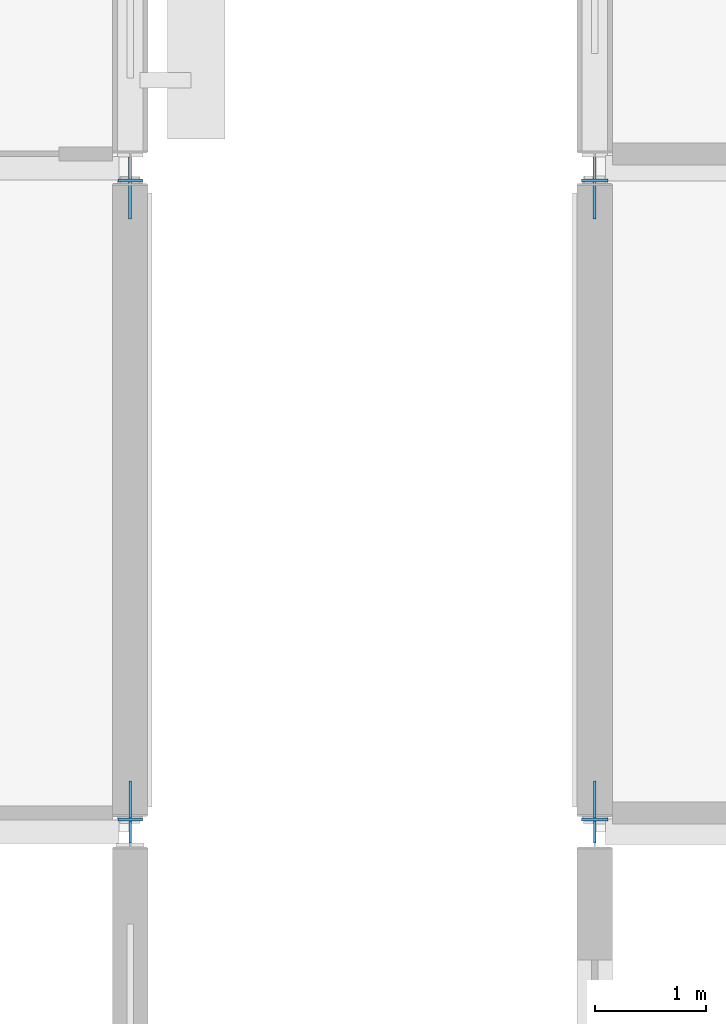
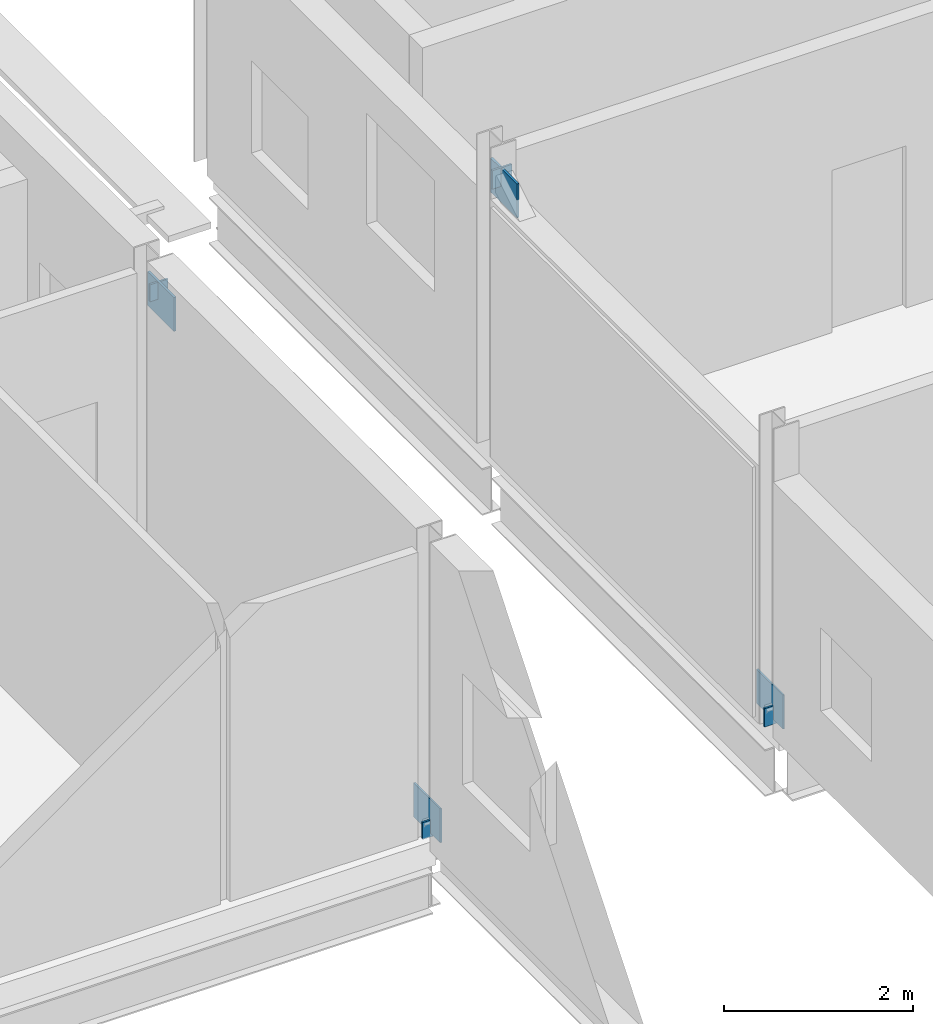
# One storey, part 53 of 92: 8 plates.
"""IFC4 building model written with IfcOpenShell, lengths in metres."""

from ifc_helpers import new_model, si_unit, direction, frame, origin, origin_2d, place, context, subcontext, project, spatial, rectangle, extrude, material, layer, layer_set, type_object, element, save


model = new_model("IFC4")

# Units and contexts
model_context = context("Model", 3, precision=1e-05, world=origin(), true_north=direction((0.0, 1.0)))
body_context = subcontext(model_context, "Body", "Model", "MODEL_VIEW")
ifc_project = project(units=[si_unit("LENGTHUNIT", "METRE"), si_unit("AREAUNIT", "SQUARE_METRE"), si_unit("VOLUMEUNIT", "CUBIC_METRE"), si_unit("PLANEANGLEUNIT", "RADIAN"), si_unit("MASSUNIT", "GRAM", prefix="KILO")], contexts=[model_context])

# Site, building, storey
site_placement = place(None, origin())
site = spatial("IfcSite", under=ifc_project, at=site_placement, CompositionType="ELEMENT")
building_placement = place(site_placement, origin())
building = spatial("IfcBuilding", under=site, at=building_placement, Name="Siltcreek Boulevard Central Fire Station", CompositionType="ELEMENT")
storey_placement = place(building_placement, frame((0.0, 0.0, 6.0)))
storey = spatial("IfcBuildingStorey", under=building, at=storey_placement, Name="L02", CompositionType="ELEMENT", Elevation=6.0)

# Plates
ifc_material = material(Name="Structural steel ASTM A572 Gr50", Category="steel")
ifc_layer_1 = layer(ifc_material, 0.02490234375, Name="Structural steel ASTM A572 Gr50")
ifc_layer_set_1 = layer_set([ifc_layer_1], Name="Structural steel ASTM A572 Gr50")
plate_type_1 = type_object("IfcPlateType", Name="PL_CAP25", PredefinedType="USERDEFINED", material=ifc_layer_set_1)
for number, where, z_axis, x_axis, name in (
    (1, (37.800048828125, 42.111083984375, -0.015625), (0.0, 0.0, 1.0), (0.0, 1.0, 0.0), "L02 SCBF concentrically braced frame BR-004 sealed end cap 1"),
    (2, (37.800048828125, 47.888916015625, 3.4453125), (0.0, 0.0, 1.0), (0.0, 1.0, 0.0), "L02 SCBF concentrically braced frame BR-004 sealed end cap 2"),
):
    element("IfcPlate", number, at=place(storey_placement, frame(where, z_axis=z_axis, x_axis=x_axis)), inside=storey, type_object=plate_type_1, Name=name, ObjectType="END CAP", PredefinedType="USERDEFINED", context=body_context, shape_type="SweptSolid", body=[
        extrude(rectangle(XDim=0.02490234375, YDim=0.219970703125, at=origin_2d()), origin(), (0.0, 0.0, 1.0), 0.219970703125),
    ])
for number, where, z_axis, x_axis, name in (
    (3, (42.0, 42.111083984375, -0.025390625), (0.0, 0.0, 1.0), (0.0, 1.0, 0.0), "L02 SCBF concentrically braced frame BR-006 sealed end cap 1"),
    (4, (42.0, 47.888916015625, 3.435546875), (0.0, 0.0, 1.0), (0.0, 1.0, 0.0), "L02 SCBF concentrically braced frame BR-006 sealed end cap 2"),
):
    element("IfcPlate", number, at=place(storey_placement, frame(where, z_axis=z_axis, x_axis=x_axis)), inside=storey, type_object=plate_type_1, Name=name, ObjectType="END CAP", PredefinedType="USERDEFINED", context=body_context, shape_type="SweptSolid", body=[
        extrude(rectangle(XDim=0.02490234375, YDim=0.239990234375, at=origin_2d()), origin(), (0.0, 0.0, 1.0), 0.239990234375),
    ])
ifc_layer_2 = layer(ifc_material, 0.02197265625, Name="Structural steel ASTM A572 Gr50")
ifc_layer_set_2 = layer_set([ifc_layer_2], Name="Structural steel ASTM A572 Gr50")
plate_type_2 = type_object("IfcPlateType", Name="PL_GUS22", PredefinedType="USERDEFINED", material=ifc_layer_set_2)
for number, where, z_axis, x_axis, name in (
    (5, (37.800048828125, 42.179931640625, 0.030029296875), (0.0, 0.0, 1.0), (0.0, 1.0, 0.0), "Seismic brace bot gusset plate GP-041"),
    (6, (42.0, 42.179931640625, 0.030029296875), (0.0, 0.0, 1.0), (0.0, 1.0, 0.0), "Seismic brace bot gusset plate GP-045"),
):
    element("IfcPlate", number, at=place(storey_placement, frame(where, z_axis=z_axis, x_axis=x_axis)), inside=storey, type_object=plate_type_2, Name=name, ObjectType="GUSSET PLATE", PredefinedType="USERDEFINED", context=body_context, shape_type="SweptSolid", body=[
        extrude(rectangle(XDim=0.56005859375, YDim=0.02197265625, at=origin_2d()), origin(), (0.0, 0.0, 1.0), 0.43994140625),
    ])
ifc_layer_3 = layer(ifc_material, 0.028076171875, Name="Structural steel ASTM A572 Gr50")
ifc_layer_set_3 = layer_set([ifc_layer_3], Name="Structural steel ASTM A572 Gr50")
plate_type_3 = type_object("IfcPlateType", Name="PL_GUS28", PredefinedType="USERDEFINED", material=ifc_layer_set_3)
for number, where, z_axis, x_axis, name in (
    (7, (37.800048828125, 47.820068359375, 3.22998046875), (0.0, 0.0, 1.0), (0.0, 1.0, 0.0), "Seismic brace top gusset plate GP-042"),
    (8, (42.0, 47.820068359375, 3.22998046875), (0.0, 0.0, 1.0), (0.0, 1.0, 0.0), "Seismic brace top gusset plate GP-046"),
):
    element("IfcPlate", number, at=place(storey_placement, frame(where, z_axis=z_axis, x_axis=x_axis)), inside=storey, type_object=plate_type_3, Name=name, ObjectType="GUSSET PLATE", PredefinedType="USERDEFINED", context=body_context, shape_type="SweptSolid", body=[
        extrude(rectangle(XDim=0.56005859375, YDim=0.028076171875, at=origin_2d()), origin(), (0.0, 0.0, 1.0), 0.43994140625),
    ])

save(model, "model.ifc")
